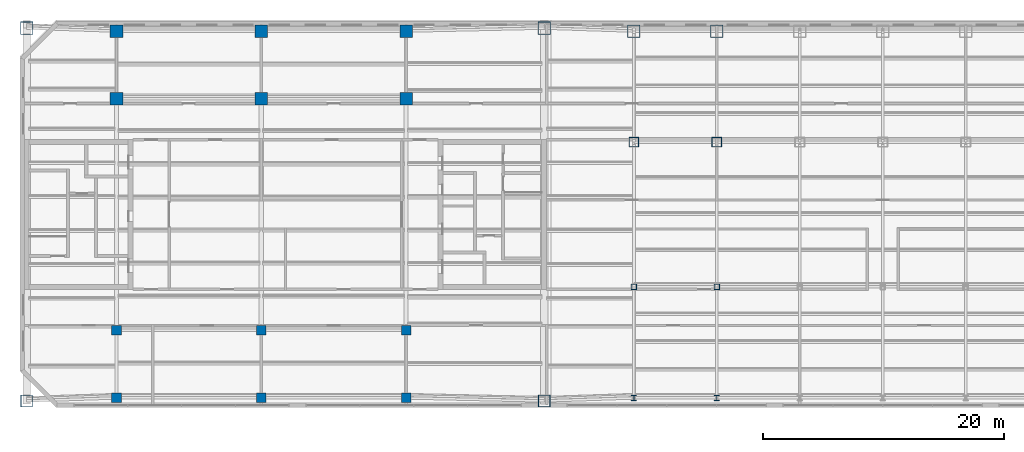
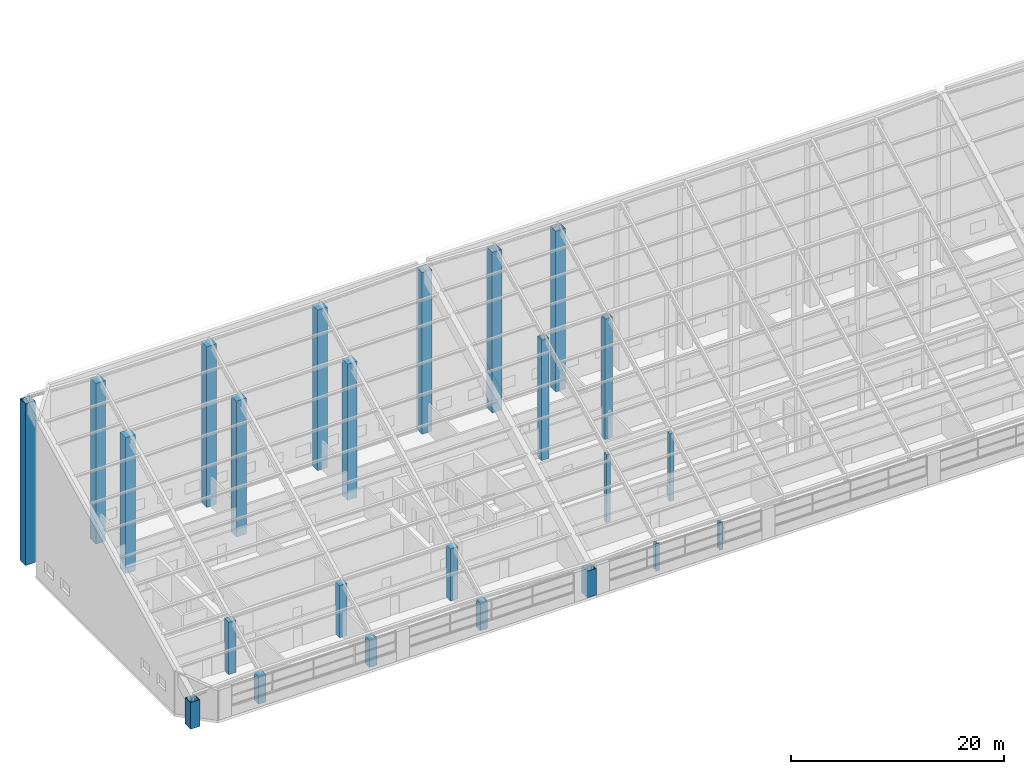
# One storey, part 1 of 28: 24 columns.
"""IFC4 building model written with IfcOpenShell, lengths in metres."""

from ifc_helpers import new_model, si_unit, direction, frame, origin, origin_2d, place, context, subcontext, project, spatial, rectangle, hollow_rectangle, i_section, extrude, material, material_profile, profile_set, type_object, element, save


model = new_model("IFC4")

# Units and contexts
model_context = context("Model", 3, precision=1e-05, world=origin(), true_north=direction((0.0, 1.0)))
body_context = subcontext(model_context, "Body", "Model", "MODEL_VIEW")
ifc_project = project(units=[si_unit("LENGTHUNIT", "METRE"), si_unit("AREAUNIT", "SQUARE_METRE"), si_unit("VOLUMEUNIT", "CUBIC_METRE"), si_unit("PLANEANGLEUNIT", "RADIAN"), si_unit("MASSUNIT", "GRAM", prefix="KILO")], contexts=[model_context])

# Site, building, storey
site_placement = place(None, origin())
site = spatial("IfcSite", under=ifc_project, at=site_placement, CompositionType="ELEMENT")
building_placement = place(site_placement, origin())
building = spatial("IfcBuilding", under=site, at=building_placement, Name="Tuart Gate Housing", CompositionType="ELEMENT")
storey_placement = place(building_placement, frame((0.0, 0.0, 243.89990234375)))
storey = spatial("IfcBuildingStorey", under=building, at=storey_placement, Name="L68", CompositionType="ELEMENT", Elevation=243.89990234375)

# Columns
ifc_material_1 = material(Name="Steel Grade 350", Category="steel")
ifc_material_profile_1 = material_profile(ifc_material_1, i_section(OverallWidth=0.39990234375, OverallDepth=0.429931640625, WebThickness=0.028076171875, FlangeThickness=0.0400390625, at=origin_2d()), Name="400WC328")
ifc_profile_set_1 = profile_set([ifc_material_profile_1], Name="Steel Grade 350")
column_type_1 = type_object("IfcColumnType", Name="Link column 400 WC328", PredefinedType="COLUMN", material=ifc_profile_set_1)
for number, where, z_axis, x_axis, name in (
    (1, (82.875, 54.800048828125, 0.0), (0.0, 0.0, 1.0), (1.0, 0.0, 0.0), "Link column line 1 point 1 L68"),
    (2, (89.75, 54.800048828125, 0.0), (0.0, 0.0, 1.0), (1.0, 0.0, 0.0), "Link column line 1 point 2 L68"),
):
    element("IfcColumn", number, at=place(storey_placement, frame(where, z_axis=z_axis, x_axis=x_axis)), inside=storey, type_object=column_type_1, Name=name, PredefinedType="COLUMN", context=body_context, shape_type="SweptSolid", body=[
        extrude(i_section(OverallWidth=0.39990234375, OverallDepth=0.429931640625, WebThickness=0.028076171875, FlangeThickness=0.0400390625, at=origin_2d()), origin(), (0.0, 0.0, 1.0), 3.16259765625),
    ])
ifc_material_2 = material(Name="Steel Grade 350", Category="steel")
ifc_material_profile_2 = material_profile(ifc_material_2, hollow_rectangle(XDim=1.050048828125, YDim=1.050048828125, WallThickness=0.0439453125, at=origin_2d()), Name="BOX 1050x1050x44")
ifc_profile_set_2 = profile_set([ifc_material_profile_2], Name="Steel Grade 350")
column_type_2 = type_object("IfcColumnType", Name="Link column BOX 1050x1050x44", PredefinedType="COLUMN", material=ifc_profile_set_2)
for number, where, z_axis, x_axis, name in (
    (3, (82.875, 85.199951171875, 0.0), (0.0, 0.0, 1.0), (1.0, 0.0, 0.0), "Link column line 4 point 1 L68"),
    (4, (89.75, 85.199951171875, 0.0), (0.0, 0.0, 1.0), (1.0, 0.0, 0.0), "Link column line 4 point 2 L68"),
):
    element("IfcColumn", number, at=place(storey_placement, frame(where, z_axis=z_axis, x_axis=x_axis)), inside=storey, type_object=column_type_2, Name=name, PredefinedType="COLUMN", context=body_context, shape_type="SweptSolid", body=[
        extrude(hollow_rectangle(XDim=1.050048828125, YDim=1.050048828125, WallThickness=0.0439453125, at=origin_2d()), origin(), (0.0, 0.0, 1.0), 18.36279296875),
    ])
ifc_material_3 = material(Name="Steel Grade 350", Category="steel")
ifc_material_profile_3 = material_profile(ifc_material_3, hollow_rectangle(XDim=0.449951171875, YDim=0.449951171875, WallThickness=0.02490234375, at=origin_2d()), Name="BOX 450x450x25")
ifc_profile_set_3 = profile_set([ifc_material_profile_3], Name="Steel Grade 350")
column_type_3 = type_object("IfcColumnType", Name="Link column BOX 450x450x25", PredefinedType="COLUMN", material=ifc_profile_set_3)
for number, where, z_axis, x_axis, name in (
    (5, (82.875, 64.0, 0.0), (0.0, 0.0, 1.0), (1.0, 0.0, 0.0), "Link column line 2 point 1 L68"),
    (6, (89.75, 64.0, 0.0), (0.0, 0.0, 1.0), (1.0, 0.0, 0.0), "Link column line 2 point 2 L68"),
):
    element("IfcColumn", number, at=place(storey_placement, frame(where, z_axis=z_axis, x_axis=x_axis)), inside=storey, type_object=column_type_3, Name=name, PredefinedType="COLUMN", context=body_context, shape_type="SweptSolid", body=[
        extrude(hollow_rectangle(XDim=0.449951171875, YDim=0.449951171875, WallThickness=0.02490234375, at=origin_2d()), origin(), (0.0, 0.0, 1.0), 7.7626953125),
    ])
ifc_material_4 = material(Name="Steel Grade 350", Category="steel")
ifc_material_profile_4 = material_profile(ifc_material_4, hollow_rectangle(XDim=0.800048828125, YDim=0.800048828125, WallThickness=0.032958984375, at=origin_2d()), Name="BOX 800x800x33")
ifc_profile_set_4 = profile_set([ifc_material_profile_4], Name="Steel Grade 350")
column_type_4 = type_object("IfcColumnType", Name="Link column BOX 800x800x33", PredefinedType="COLUMN", material=ifc_profile_set_4)
for number, where, z_axis, x_axis, name in (
    (7, (82.875, 76.0, 0.0), (0.0, 0.0, 1.0), (1.0, 0.0, 0.0), "Link column line 3 point 1 L68"),
    (8, (89.75, 76.0, 0.0), (0.0, 0.0, 1.0), (1.0, 0.0, 0.0), "Link column line 3 point 2 L68"),
):
    element("IfcColumn", number, at=place(storey_placement, frame(where, z_axis=z_axis, x_axis=x_axis)), inside=storey, type_object=column_type_4, Name=name, PredefinedType="COLUMN", context=body_context, shape_type="SweptSolid", body=[
        extrude(hollow_rectangle(XDim=0.800048828125, YDim=0.800048828125, WallThickness=0.032958984375, at=origin_2d()), origin(), (0.0, 0.0, 1.0), 13.7626953125),
    ])
ifc_material_5 = material(Name="Steel Grade 350", Category="steel")
ifc_material_profile_5 = material_profile(ifc_material_5, hollow_rectangle(XDim=1.0, YDim=1.0, WallThickness=0.054931640625, at=origin_2d()), Name="BOX 1000x1000x55")
ifc_profile_set_5 = profile_set([ifc_material_profile_5], Name="Steel Grade 350")
column_type_5 = type_object("IfcColumnType", Name="Mega column BOX 1000x1000x55", PredefinedType="COLUMN", material=ifc_profile_set_5)
for number, where, z_axis, x_axis, name in (
    (9, (32.550048828125, 54.550048828125, 0.0), (0.0, 0.0, 1.0), (1.0, 0.0, 0.0), "Mega column A south-west L68"),
    (10, (75.449951171875, 54.550048828125, 0.0), (0.0, 0.0, 1.0), (1.0, 0.0, 0.0), "Mega column A south-east L68"),
):
    element("IfcColumn", number, at=place(storey_placement, frame(where, z_axis=z_axis, x_axis=x_axis)), inside=storey, type_object=column_type_5, Name=name, PredefinedType="COLUMN", context=body_context, shape_type="SweptSolid", body=[
        extrude(hollow_rectangle(XDim=1.0, YDim=1.0, WallThickness=0.054931640625, at=origin_2d()), origin(), (0.0, 0.0, 1.0), 3.03759765625),
    ])
ifc_material_6 = material(Name="Steel Grade 350", Category="steel")
ifc_material_profile_6 = material_profile(ifc_material_6, hollow_rectangle(XDim=1.050048828125, YDim=1.050048828125, WallThickness=0.052978515625, at=origin_2d()), Name="BOX 1050x1050x53")
ifc_profile_set_6 = profile_set([ifc_material_profile_6], Name="Steel Grade 350")
column_type_6 = type_object("IfcColumnType", Name="Mega column BOX 1050x1050x53", PredefinedType="COLUMN", material=ifc_profile_set_6)
for number, where, z_axis, x_axis, name in (
    (11, (75.449951171875, 85.449951171875, 0.0), (0.0, 0.0, 1.0), (1.0, 0.0, 0.0), "Mega column A north-east L68"),
    (12, (32.550048828125, 85.449951171875, 0.0), (0.0, 0.0, 1.0), (1.0, 0.0, 0.0), "Mega column A north-west L68"),
):
    element("IfcColumn", number, at=place(storey_placement, frame(where, z_axis=z_axis, x_axis=x_axis)), inside=storey, type_object=column_type_6, Name=name, PredefinedType="COLUMN", context=body_context, shape_type="SweptSolid", body=[
        extrude(hollow_rectangle(XDim=1.050048828125, YDim=1.050048828125, WallThickness=0.052978515625, at=origin_2d()), origin(), (0.0, 0.0, 1.0), 18.48779296875),
    ])
ifc_material_7 = material(Name="Concrete C50", Category="concrete")
ifc_material_profile_7 = material_profile(ifc_material_7, rectangle(XDim=1.050048828125, YDim=1.050048828125, at=origin_2d()), Name="RC column 1050 x 1050")
ifc_profile_set_7 = profile_set([ifc_material_profile_7], Name="Concrete C50")
column_type_7 = type_object("IfcColumnType", Name="RC column 1050 x 1050", PredefinedType="COLUMN", material=ifc_profile_set_7)
column_1_placement = place(storey_placement, frame((40.0, 79.60009765625, 0.0), z_axis=(0.0, 0.0, 1.0), x_axis=(1.0, 0.0, 0.0)))
element("IfcColumn", 13, at=column_1_placement, inside=storey, type_object=column_type_7, Name="RC column 13 L68", PredefinedType="COLUMN", context=body_context, shape_type="SweptSolid", body=[
    extrude(rectangle(XDim=1.050048828125, YDim=1.050048828125, at=origin_2d()), origin(), (0.0, 0.0, 1.0), 15.562744140625),
])
column_2_placement = place(storey_placement, frame((40.0, 85.199951171875, 0.0), z_axis=(0.0, 0.0, 1.0), x_axis=(1.0, 0.0, 0.0)))
element("IfcColumn", 14, at=column_2_placement, inside=storey, type_object=column_type_7, Name="RC column 16 L68", PredefinedType="COLUMN", context=body_context, shape_type="SweptSolid", body=[
    extrude(rectangle(XDim=1.050048828125, YDim=1.050048828125, at=origin_2d()), origin(), (0.0, 0.0, 1.0), 18.36279296875),
])
column_3_placement = place(storey_placement, frame((52.0, 79.60009765625, 0.0), z_axis=(0.0, 0.0, 1.0), x_axis=(1.0, 0.0, 0.0)))
element("IfcColumn", 15, at=column_3_placement, inside=storey, type_object=column_type_7, Name="RC column 19 L68", PredefinedType="COLUMN", context=body_context, shape_type="SweptSolid", body=[
    extrude(rectangle(XDim=1.050048828125, YDim=1.050048828125, at=origin_2d()), origin(), (0.0, 0.0, 1.0), 15.562744140625),
])
column_4_placement = place(storey_placement, frame((52.0, 85.199951171875, 0.0), z_axis=(0.0, 0.0, 1.0), x_axis=(1.0, 0.0, 0.0)))
element("IfcColumn", 16, at=column_4_placement, inside=storey, type_object=column_type_7, Name="RC column 20 L68", PredefinedType="COLUMN", context=body_context, shape_type="SweptSolid", body=[
    extrude(rectangle(XDim=1.050048828125, YDim=1.050048828125, at=origin_2d()), origin(), (0.0, 0.0, 1.0), 18.36279296875),
])
column_5_placement = place(storey_placement, frame((64.0, 79.60009765625, 0.0), z_axis=(0.0, 0.0, 1.0), x_axis=(1.0, 0.0, 0.0)))
element("IfcColumn", 17, at=column_5_placement, inside=storey, type_object=column_type_7, Name="RC column 23 L68", PredefinedType="COLUMN", context=body_context, shape_type="SweptSolid", body=[
    extrude(rectangle(XDim=1.050048828125, YDim=1.050048828125, at=origin_2d()), origin(), (0.0, 0.0, 1.0), 15.562744140625),
])
column_6_placement = place(storey_placement, frame((64.0, 85.199951171875, 0.0), z_axis=(0.0, 0.0, 1.0), x_axis=(1.0, 0.0, 0.0)))
element("IfcColumn", 18, at=column_6_placement, inside=storey, type_object=column_type_7, Name="RC column 24 L68", PredefinedType="COLUMN", context=body_context, shape_type="SweptSolid", body=[
    extrude(rectangle(XDim=1.050048828125, YDim=1.050048828125, at=origin_2d()), origin(), (0.0, 0.0, 1.0), 18.36279296875),
])
ifc_material_8 = material(Name="Concrete C50", Category="concrete")
ifc_material_profile_8 = material_profile(ifc_material_8, rectangle(XDim=0.800048828125, YDim=0.800048828125, at=origin_2d()), Name="RC column 800 x 800")
ifc_profile_set_8 = profile_set([ifc_material_profile_8], Name="Concrete C50")
column_type_8 = type_object("IfcColumnType", Name="RC column 800 x 800", PredefinedType="COLUMN", material=ifc_profile_set_8)
for number, where, z_axis, x_axis, name in (
    (19, (40.0, 54.800048828125, 0.0), (0.0, 0.0, 1.0), (1.0, 0.0, 0.0), "RC column 9 L68"),
    (20, (52.0, 54.800048828125, 0.0), (0.0, 0.0, 1.0), (1.0, 0.0, 0.0), "RC column 17 L68"),
    (21, (64.0, 54.800048828125, 0.0), (0.0, 0.0, 1.0), (1.0, 0.0, 0.0), "RC column 21 L68"),
):
    element("IfcColumn", number, at=place(storey_placement, frame(where, z_axis=z_axis, x_axis=x_axis)), inside=storey, type_object=column_type_8, Name=name, PredefinedType="COLUMN", context=body_context, shape_type="SweptSolid", body=[
        extrude(rectangle(XDim=0.800048828125, YDim=0.800048828125, at=origin_2d()), origin(), (0.0, 0.0, 1.0), 3.16259765625),
    ])
ifc_material_9 = material(Name="Concrete C50", Category="concrete")
ifc_material_profile_9 = material_profile(ifc_material_9, rectangle(XDim=0.800048828125, YDim=0.800048828125, at=origin_2d()), Name="RC column 800 x 800 (5.6-6.7 m)")
ifc_profile_set_9 = profile_set([ifc_material_profile_9], Name="Concrete C50")
column_type_9 = type_object("IfcColumnType", Name="RC column 800 x 800 (5.6-6.7 m)", PredefinedType="COLUMN", material=ifc_profile_set_9)
for number, where, z_axis, x_axis, name in (
    (22, (40.0, 60.39990234375, 0.0), (0.0, 0.0, 1.0), (1.0, 0.0, 0.0), "RC column 12 L68"),
    (23, (52.0, 60.39990234375, 0.0), (0.0, 0.0, 1.0), (1.0, 0.0, 0.0), "RC column 18 L68"),
    (24, (64.0, 60.39990234375, 0.0), (0.0, 0.0, 1.0), (1.0, 0.0, 0.0), "RC column 22 L68"),
):
    element("IfcColumn", number, at=place(storey_placement, frame(where, z_axis=z_axis, x_axis=x_axis)), inside=storey, type_object=column_type_9, Name=name, PredefinedType="COLUMN", context=body_context, shape_type="SweptSolid", body=[
        extrude(rectangle(XDim=0.800048828125, YDim=0.800048828125, at=origin_2d()), origin(), (0.0, 0.0, 1.0), 5.962646484375),
    ])

save(model, "model.ifc")
